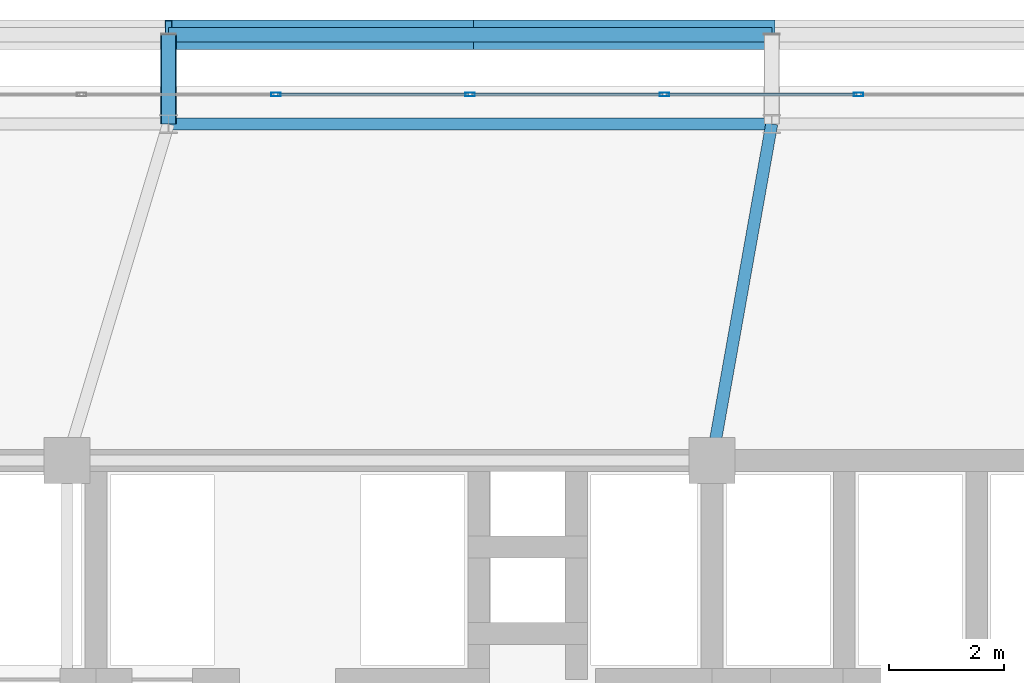
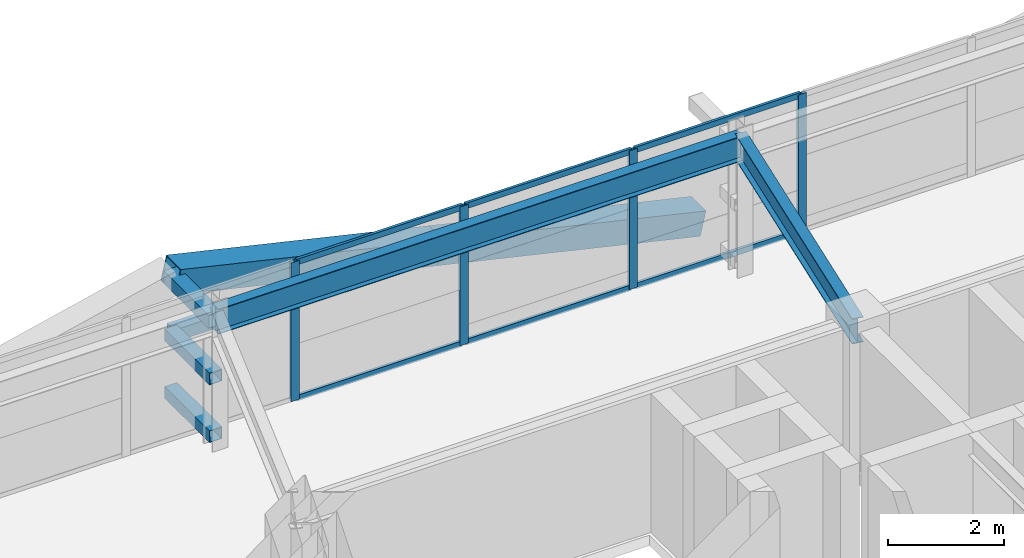
# One storey, part 37 of 58: 16 members, 2 beams, 1 element without a shape of its own.
"""IFC4 building model written with IfcOpenShell, lengths in metres."""

from ifc_helpers import new_model, si_unit, direction, frame, origin, origin_2d, place, context, subcontext, project, spatial, hollow_rectangle, i_section, extrude, source, transform, mapped, material, layer, layer_set, material_profile, profile_set, type_object, element, aggregate, save


model = new_model("IFC4")

# Units and contexts
model_context = context("Model", 3, precision=1e-05, world=origin(), true_north=direction((0.0, 1.0)))
body_context = subcontext(model_context, "Body", "Model", "MODEL_VIEW")
ifc_project = project(units=[si_unit("LENGTHUNIT", "METRE"), si_unit("AREAUNIT", "SQUARE_METRE"), si_unit("VOLUMEUNIT", "CUBIC_METRE"), si_unit("PLANEANGLEUNIT", "RADIAN"), si_unit("MASSUNIT", "GRAM", prefix="KILO")], contexts=[model_context])

# Site, building, storey
site_placement = place(None, origin())
site = spatial("IfcSite", under=ifc_project, at=site_placement, CompositionType="ELEMENT")
building_placement = place(site_placement, origin())
building = spatial("IfcBuilding", under=site, at=building_placement, Name="Taldren Reach Tower", CompositionType="ELEMENT")
storey_placement = place(building_placement, frame((0.0, 0.0, 51.449951171875)))
storey = spatial("IfcBuildingStorey", under=building, at=storey_placement, Name="L15", CompositionType="ELEMENT", Elevation=51.449951171875)

# Beams
ifc_material_1 = material(Name="Steel Gr 350 (350PLUS)", Category="steel")
ifc_material_profile_1 = material_profile(ifc_material_1, i_section(OverallWidth=0.208984375, OverallDepth=0.528076171875, WebThickness=0.009521484375, FlangeThickness=0.01318359375, at=origin_2d()), Name="530UB82.0")
ifc_profile_set_1 = profile_set([ifc_material_profile_1], Name="Steel Gr 350 (350PLUS)")
beam_type_1 = type_object("IfcBeamType", Name="SP-UB530B", PredefinedType="SPANDREL", material=ifc_profile_set_1)
shared_shape_1 = source(origin(), body_context, "Body", "SweptSolid", [
    extrude(i_section(OverallWidth=0.208984375, OverallDepth=0.528076171875, WebThickness=0.009521484375, FlangeThickness=0.01318359375, at=origin_2d()), origin(), (0.0, 0.0, 1.0), 10.47998046875),
])
beam_1_placement = place(storey_placement, frame((40.239990234375, 37.85009765625, 2.666015625), z_axis=(-1.0, 0.0, 0.0), x_axis=(0.0, -1.0, 0.0)))
element("IfcBeam", 1, at=beam_1_placement, inside=storey, type_object=beam_type_1, Name="Perimeter spandrel B1 N4-N3 L15", PredefinedType="SPANDREL", context=body_context, shape_type="MappedRepresentation", body=[
    mapped(shared_shape_1, transform((0.0, 0.0, 0.0), scale=1.0)),
])
ifc_material_profile_2 = material_profile(ifc_material_1, i_section(OverallWidth=0.208984375, OverallDepth=0.532958984375, WebThickness=0.01025390625, FlangeThickness=0.015625, at=origin_2d()), Name="530UB92.4")
ifc_profile_set_2 = profile_set([ifc_material_profile_2], Name="Steel Gr 350 (350PLUS)")
beam_type_2 = type_object("IfcBeamType", Name="BM-UB530A", PredefinedType="BEAM", material=ifc_profile_set_2)
shared_shape_2 = source(origin(), body_context, "Body", "SweptSolid", [
    extrude(i_section(OverallWidth=0.208984375, OverallDepth=0.532958984375, WebThickness=0.01025390625, FlangeThickness=0.015625, at=origin_2d()), origin(), (0.0, 0.0, 1.0), 5.94189453125),
])
beam_2_placement = place(storey_placement, frame((39.199951171875, 32.0, 2.66357421875), z_axis=(0.17503687513, 0.984561878373, 0.0), x_axis=(-0.984561878373, 0.17503687513, 0.0)))
element("IfcBeam", 2, at=beam_2_placement, inside=storey, type_object=beam_type_2, Name="Primary floor girder B1-N4 L15", PredefinedType="BEAM", context=body_context, shape_type="MappedRepresentation", body=[
    mapped(shared_shape_2, transform((0.0, 0.0, 0.0), scale=1.0)),
])

# Members
ifc_material_2 = material(Name="Steel Gr 450 (C450L0)", Category="steel")
ifc_material_profile_3 = material_profile(ifc_material_2, hollow_rectangle(XDim=0.27490234375, YDim=0.27490234375, WallThickness=0.00927734375, at=origin_2d()), Name="275x275x9.3SHS")
ifc_profile_set_3 = profile_set([ifc_material_profile_3], Name="Steel Gr 450 (C450L0)")
member_type_1 = type_object("IfcMemberType", Name="MB-TIE273", PredefinedType="STRUT", material=ifc_profile_set_3)
shared_shape_3 = source(origin(), body_context, "Body", "SweptSolid", [
    extrude(hollow_rectangle(XDim=0.27490234375, YDim=0.27490234375, WallThickness=0.00927734375, at=origin_2d()), origin(), (0.0, 0.0, 1.0), 1.5498046875),
])
member_1_placement = place(storey_placement, frame((29.760009765625, 37.85009765625, 2.650146484375), z_axis=(0.0, 1.0, 0.0), x_axis=(-1.0, 0.0, 0.0)))
element("IfcMember", 3, at=member_1_placement, inside=storey, type_object=member_type_1, Name="Exoskeleton diaphragm tie strut B1-N3 L15", PredefinedType="STRUT", context=body_context, shape_type="MappedRepresentation", body=[
    mapped(shared_shape_3, transform((0.0, 0.0, 0.0), scale=1.0)),
])
ifc_material_profile_4 = material_profile(ifc_material_2, hollow_rectangle(XDim=0.510009765625, YDim=0.510009765625, WallThickness=0.02001953125, at=origin_2d()), Name="510x510x20.0SHS")
ifc_profile_set_4 = profile_set([ifc_material_profile_4], Name="Steel Gr 450 (C450L0)")
member_type_2 = type_object("IfcMemberType", Name="MB-EXO508", PredefinedType="BRACE", material=ifc_profile_set_4)
shared_shape_4 = source(origin(), body_context, "Body", "SweptSolid", [
    extrude(hollow_rectangle(XDim=0.510009765625, YDim=0.510009765625, WallThickness=0.02001953125, at=origin_2d()), origin(), (0.0, 0.0, 1.0), 5.37890625),
])
for number, where, z_axis, x_axis, name in (
    (4, (40.239990234375, 39.39990234375, 0.219970703125), (-0.97415197996, 0.0, 0.225893603143), (0.0, -1.0, 0.0), "Exoskeleton Diagrid Brace B1-N3 L15"),
    (5, (35.0, 39.39990234375, 1.43505859375), (-0.97415197996, 0.0, 0.225893603143), (0.0, -1.0, 0.0), "Exoskeleton Diagrid Brace B1-N3 L15"),
):
    element("IfcMember", number, at=place(storey_placement, frame(where, z_axis=z_axis, x_axis=x_axis)), inside=storey, type_object=member_type_2, Name=name, PredefinedType="BRACE", context=body_context, shape_type="MappedRepresentation", body=[
        mapped(shared_shape_4, transform((0.0, 0.0, 0.0), scale=1.0)),
    ])
ifc_material_3 = material(Name="Steel Gr 350 (C350L0)", Category="steel")
ifc_material_profile_5 = material_profile(ifc_material_3, hollow_rectangle(XDim=0.25, YDim=0.25, WallThickness=0.010009765625, at=origin_2d()), Name="250x250x10.0SHS")
ifc_profile_set_5 = profile_set([ifc_material_profile_5], Name="Steel Gr 350 (C350L0)")
member_type_3 = type_object("IfcMemberType", Name="MB-POST250", PredefinedType="POST", material=ifc_profile_set_5)
shared_shape_5 = source(origin(), body_context, "Body", "SweptSolid", [
    extrude(hollow_rectangle(XDim=0.25, YDim=0.25, WallThickness=0.010009765625, at=origin_2d()), origin(), (0.0, 0.0, 1.0), 10.47998046875),
])
member_2_placement = place(storey_placement, frame((29.760009765625, 39.39990234375, 1.43505859375), z_axis=(1.0, 0.0, 0.0), x_axis=(0.0, 1.0, 0.0)))
element("IfcMember", 6, at=member_2_placement, inside=storey, type_object=member_type_3, Name="Exoskeleton mid-height ring chord B1-N3 L15", PredefinedType="POST", context=body_context, shape_type="MappedRepresentation", body=[
    mapped(shared_shape_5, transform((0.0, 0.0, 0.0), scale=1.0)),
])
shared_shape_6 = source(origin(), body_context, "Body", "SweptSolid", [
    extrude(hollow_rectangle(XDim=0.25, YDim=0.25, WallThickness=0.010009765625, at=origin_2d()), origin(), (0.0, 0.0, 1.0), 1.5498046875),
])
for number, where, z_axis, x_axis, name in (
    (7, (29.760009765625, 37.85009765625, 0.219970703125), (0.0, 1.0, 0.0), (-1.0, 0.0, 0.0), "Exoskeleton base diaphragm tie strut B1-N3 L15"),
    (8, (29.760009765625, 37.85009765625, 1.43505859375), (0.0, 1.0, 0.0), (-1.0, 0.0, 0.0), "Exoskeleton mid-tier diaphragm tie B1-N3 L15"),
):
    element("IfcMember", number, at=place(storey_placement, frame(where, z_axis=z_axis, x_axis=x_axis)), inside=storey, type_object=member_type_3, Name=name, PredefinedType="POST", context=body_context, shape_type="MappedRepresentation", body=[
        mapped(shared_shape_6, transform((0.0, 0.0, 0.0), scale=1.0)),
    ])

# Curtain wall, members
ifc_material_4 = material(Name="Aluminium and Low-E Glass Unitised System", Category="aluminium")
ifc_layer = layer(ifc_material_4, 0.159912109375)
ifc_layer_set = layer_set([ifc_layer], Name="Aluminium and Low-E Glass Unitised System")
curtain_wall_type = type_object("IfcCurtainWallType", Name="CW-SYS-2", PredefinedType="NOTDEFINED", material=ifc_layer_set)
curtain_wall_placement = place(storey_placement, origin())
curtain_wall = element("IfcCurtainWall", 9, at=curtain_wall_placement, inside=storey, type_object=curtain_wall_type, Name="Unitised curtain wall CW-L15-N", PredefinedType="NOTDEFINED")
ifc_material_5 = material(Name="Anodised Aluminium 6063-T6", Category="aluminium")
ifc_material_profile_6 = material_profile(ifc_material_5, hollow_rectangle(XDim=0.06494140625, YDim=0.1650390625, WallThickness=0.00390625, at=origin_2d()), Name="ALU-165x65x4RHS")
ifc_profile_set_6 = profile_set([ifc_material_profile_6], Name="Anodised Aluminium 6063-T6")
member_type_4 = type_object("IfcMemberType", Name="CW-MUL-165", PredefinedType="MULLION", material=ifc_profile_set_6)
shared_shape_7 = source(origin(), body_context, "Body", "SweptSolid", [
    extrude(hollow_rectangle(XDim=0.06494140625, YDim=0.1650390625, WallThickness=0.00390625, at=origin_2d()), origin(), (0.0, 0.0, 1.0), 2.929931640625),
])
member_3_placement = place(storey_placement, frame((41.75, 38.360107421875, 0.0), z_axis=(0.0, 0.0, 1.0), x_axis=(0.0, -1.0, 0.0)))
member_3 = element("IfcMember", 10, at=member_3_placement, type_object=member_type_4, Name="CW-2 mullion 7", PredefinedType="MULLION", context=body_context, shape_type="MappedRepresentation", body=[
    mapped(shared_shape_7, transform((0.0, 0.0, 0.0), scale=1.0)),
])
member_4_placement = place(storey_placement, frame((38.375, 38.360107421875, 0.0), z_axis=(0.0, 0.0, 1.0), x_axis=(0.0, -1.0, 0.0)))
member_4 = element("IfcMember", 11, at=member_4_placement, type_object=member_type_4, Name="CW-2 mullion 8", PredefinedType="MULLION", context=body_context, shape_type="MappedRepresentation", body=[
    mapped(shared_shape_7, transform((0.0, 0.0, 0.0), scale=1.0)),
])
member_5_placement = place(storey_placement, frame((35.0, 38.360107421875, 0.0), z_axis=(0.0, 0.0, 1.0), x_axis=(0.0, -1.0, 0.0)))
member_5 = element("IfcMember", 12, at=member_5_placement, type_object=member_type_4, Name="CW-2 mullion 9", PredefinedType="MULLION", context=body_context, shape_type="MappedRepresentation", body=[
    mapped(shared_shape_7, transform((0.0, 0.0, 0.0), scale=1.0)),
])
member_6_placement = place(storey_placement, frame((31.625, 38.360107421875, 0.0), z_axis=(0.0, 0.0, 1.0), x_axis=(0.0, -1.0, 0.0)))
member_6 = element("IfcMember", 13, at=member_6_placement, type_object=member_type_4, Name="CW-2 mullion 10", PredefinedType="MULLION", context=body_context, shape_type="MappedRepresentation", body=[
    mapped(shared_shape_7, transform((0.0, 0.0, 0.0), scale=1.0)),
])
ifc_material_profile_7 = material_profile(ifc_material_5, hollow_rectangle(XDim=0.054931640625, YDim=0.1201171875, WallThickness=0.0029296875, at=origin_2d()), Name="ALU-120x55x3RHS")
ifc_profile_set_7 = profile_set([ifc_material_profile_7], Name="Anodised Aluminium 6063-T6")
member_type_5 = type_object("IfcMemberType", Name="CW-TRN-135", PredefinedType="USERDEFINED", material=ifc_profile_set_7)
shared_shape_8 = source(origin(), body_context, "Body", "SweptSolid", [
    extrude(hollow_rectangle(XDim=0.054931640625, YDim=0.1201171875, WallThickness=0.0029296875, at=origin_2d()), origin(), (0.0, 0.0, 1.0), 3.31005859375),
])
member_7_placement = place(storey_placement, frame((41.717529296875, 38.360107421875, 0.027587890625), z_axis=(-1.0, 0.0, 0.0), x_axis=(0.0, -1.0, 0.0)))
member_7 = element("IfcMember", 14, at=member_7_placement, type_object=member_type_5, Name="CW-2 transom 7.1", ObjectType="TRANSOM", PredefinedType="USERDEFINED", context=body_context, shape_type="MappedRepresentation", body=[
    mapped(shared_shape_8, transform((0.0, 0.0, 0.0), scale=1.0)),
])
member_8_placement = place(storey_placement, frame((41.717529296875, 38.360107421875, 2.902587890625), z_axis=(-1.0, 0.0, 0.0), x_axis=(0.0, -1.0, 0.0)))
member_8 = element("IfcMember", 15, at=member_8_placement, type_object=member_type_5, Name="CW-2 transom 7.2", ObjectType="TRANSOM", PredefinedType="USERDEFINED", context=body_context, shape_type="MappedRepresentation", body=[
    mapped(shared_shape_8, transform((0.0, 0.0, 0.0), scale=1.0)),
])
member_9_placement = place(storey_placement, frame((38.342529296875, 38.360107421875, 0.027587890625), z_axis=(-1.0, 0.0, 0.0), x_axis=(0.0, -1.0, 0.0)))
member_9 = element("IfcMember", 16, at=member_9_placement, type_object=member_type_5, Name="CW-2 transom 8.1", ObjectType="TRANSOM", PredefinedType="USERDEFINED", context=body_context, shape_type="MappedRepresentation", body=[
    mapped(shared_shape_8, transform((0.0, 0.0, 0.0), scale=1.0)),
])
member_10_placement = place(storey_placement, frame((38.342529296875, 38.360107421875, 2.902587890625), z_axis=(-1.0, 0.0, 0.0), x_axis=(0.0, -1.0, 0.0)))
member_10 = element("IfcMember", 17, at=member_10_placement, type_object=member_type_5, Name="CW-2 transom 8.2", ObjectType="TRANSOM", PredefinedType="USERDEFINED", context=body_context, shape_type="MappedRepresentation", body=[
    mapped(shared_shape_8, transform((0.0, 0.0, 0.0), scale=1.0)),
])
member_11_placement = place(storey_placement, frame((34.967529296875, 38.360107421875, 0.027587890625), z_axis=(-1.0, 0.0, 0.0), x_axis=(0.0, -1.0, 0.0)))
member_11 = element("IfcMember", 18, at=member_11_placement, type_object=member_type_5, Name="CW-2 transom 9.1", ObjectType="TRANSOM", PredefinedType="USERDEFINED", context=body_context, shape_type="MappedRepresentation", body=[
    mapped(shared_shape_8, transform((0.0, 0.0, 0.0), scale=1.0)),
])
member_12_placement = place(storey_placement, frame((34.967529296875, 38.360107421875, 2.902587890625), z_axis=(-1.0, 0.0, 0.0), x_axis=(0.0, -1.0, 0.0)))
member_12 = element("IfcMember", 19, at=member_12_placement, type_object=member_type_5, Name="CW-2 transom 9.2", ObjectType="TRANSOM", PredefinedType="USERDEFINED", context=body_context, shape_type="MappedRepresentation", body=[
    mapped(shared_shape_8, transform((0.0, 0.0, 0.0), scale=1.0)),
])
aggregate(curtain_wall, [member_3, member_4, member_5, member_6, member_7, member_8, member_9, member_10, member_11, member_12])

save(model, "model.ifc")
